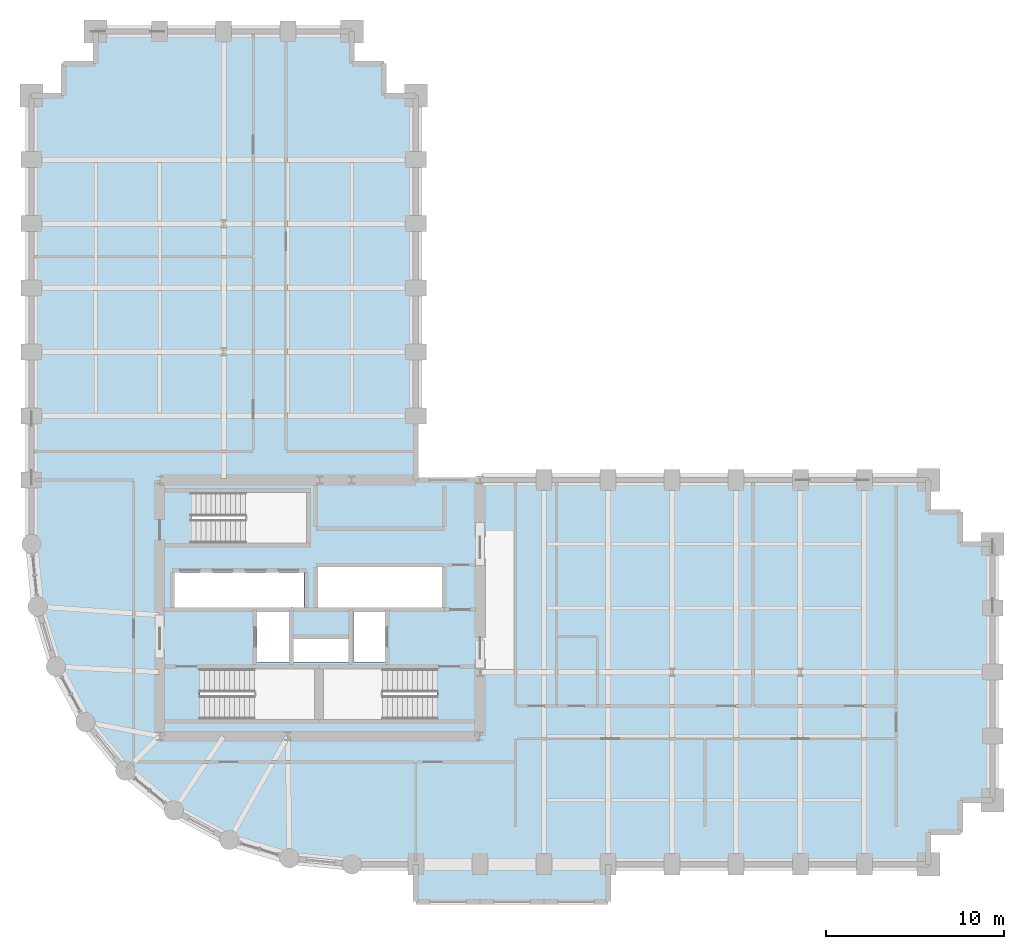
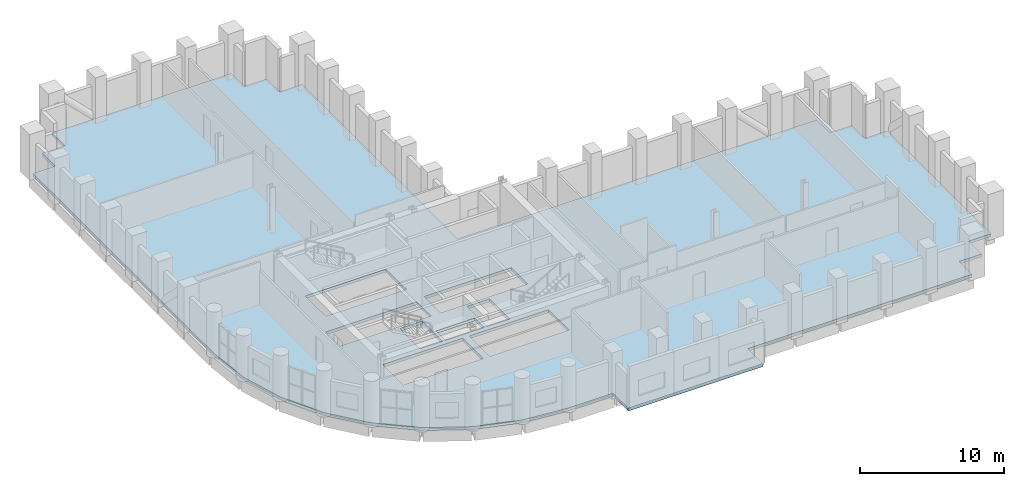
# One storey, part 7 of 12: 1 slab.
"""IFC4 building model written with IfcOpenShell, lengths in metres."""

from ifc_helpers import new_model, si_unit, direction, frame, origin, place, context, subcontext, project, spatial, polyline, outline, extrude, material, layer, layer_set, type_object, element, save


model = new_model("IFC4")

# Units and contexts
model_context = context("Model", 3, precision=1e-05, world=origin(), true_north=direction((0.0, 1.0)))
body_context = subcontext(model_context, "Body", "Model", "MODEL_VIEW")
ifc_project = project(units=[si_unit("LENGTHUNIT", "METRE"), si_unit("AREAUNIT", "SQUARE_METRE"), si_unit("VOLUMEUNIT", "CUBIC_METRE"), si_unit("PLANEANGLEUNIT", "RADIAN"), si_unit("MASSUNIT", "GRAM", prefix="KILO")], contexts=[model_context])

# Site, building, storey
site_placement = place(None, origin())
site = spatial("IfcSite", under=ifc_project, at=site_placement, CompositionType="ELEMENT")
building_placement = place(site_placement, origin())
building = spatial("IfcBuilding", under=site, at=building_placement, Name="Solnavia Interchange Tower", CompositionType="ELEMENT")
storey_placement = place(building_placement, frame((0.0, 0.0, 27.89990234375)))
storey = spatial("IfcBuildingStorey", under=building, at=storey_placement, Name="L06", CompositionType="ELEMENT", Elevation=27.89990234375)

# Slab
ifc_material = material(Name="Concrete C40/50", Category="concrete")
ifc_layer = layer(ifc_material, 0.25)
ifc_layer_set = layer_set([ifc_layer], Name="Concrete C40/50")
slab_type = type_object("IfcSlabType", Name="Slab-Tower-250", PredefinedType="FLOOR", material=ifc_layer_set)
slab_placement = place(storey_placement, frame((0.0, 0.0, -0.25)))
element("IfcSlab", 1, at=slab_placement, inside=storey, type_object=slab_type, Name="SLB-L06-01 Structural floor slab", PredefinedType="FLOOR", context=body_context, shape_type="SweptSolid", body=[
    extrude(outline(polyline([(25.199951171875, 3.60009765625), (28.800048828125, 3.60009765625), (28.800048828125, 1.5), (39.60009765625, 1.5), (39.60009765625, 3.60009765625), (57.60009765625, 3.60009765625), (57.60009765625, 5.39990234375), (59.39990234375, 5.39990234375), (59.39990234375, 7.199951171875), (61.199951171875, 7.199951171875), (61.199951171875, 21.60009765625), (59.39990234375, 21.60009765625), (59.39990234375, 23.39990234375), (57.60009765625, 23.39990234375), (57.60009765625, 25.199951171875), (28.800048828125, 25.199951171875), (28.800048828125, 46.800048828125), (27.0, 46.800048828125), (27.0, 48.60009765625), (25.199951171875, 48.60009765625), (25.199951171875, 50.39990234375), (10.800048828125, 50.39990234375), (10.800048828125, 48.60009765625), (9.0, 48.60009765625), (9.0, 46.800048828125), (7.199951171875, 46.800048828125), (7.199951171875, 21.60009765625), (7.5458984375, 18.087890625), (8.570068359375, 14.7119140625), (10.23388671875, 11.60009765625), (12.471923828125, 8.8720703125), (15.199951171875, 6.634033203125), (18.31201171875, 4.969970703125), (21.68798828125, 3.946044921875), (25.199951171875, 3.60009765625)]), holes=[polyline([(16.675048828125, 11.75), (23.10009765625, 11.75), (23.10009765625, 14.590087890625), (16.675048828125, 14.590087890625), (16.675048828125, 11.75)]), polyline([(23.60009765625, 11.75), (29.97509765625, 11.75), (29.97509765625, 14.590087890625), (23.60009765625, 14.590087890625), (23.60009765625, 11.75)]), polyline([(16.175048828125, 21.64990234375), (22.64990234375, 21.64990234375), (22.64990234375, 24.489990234375), (16.175048828125, 24.489990234375), (16.175048828125, 21.64990234375)]), polyline([(19.8798828125, 14.9599609375), (21.679931640625, 14.9599609375), (21.679931640625, 17.780029296875), (19.8798828125, 17.780029296875), (19.8798828125, 14.9599609375)]), polyline([(25.280029296875, 14.9599609375), (27.080078125, 14.9599609375), (27.080078125, 17.780029296875), (25.280029296875, 17.780029296875), (25.280029296875, 14.9599609375)]), polyline([(21.919921875, 14.9599609375), (25.02001953125, 14.9599609375), (25.02001953125, 16.280029296875), (21.919921875, 16.280029296875), (21.919921875, 14.9599609375)]), polyline([(15.219970703125, 18.02001953125), (22.52001953125, 18.02001953125), (22.52001953125, 20.0), (15.219970703125, 20.0), (15.219970703125, 18.02001953125)]), polyline([(23.300048828125, 18.02001953125), (30.280029296875, 18.02001953125), (30.280029296875, 20.300048828125), (23.300048828125, 20.300048828125), (23.300048828125, 18.02001953125)])]), origin(), (0.0, 0.0, 1.0), 0.25),
])

save(model, "model.ifc")
